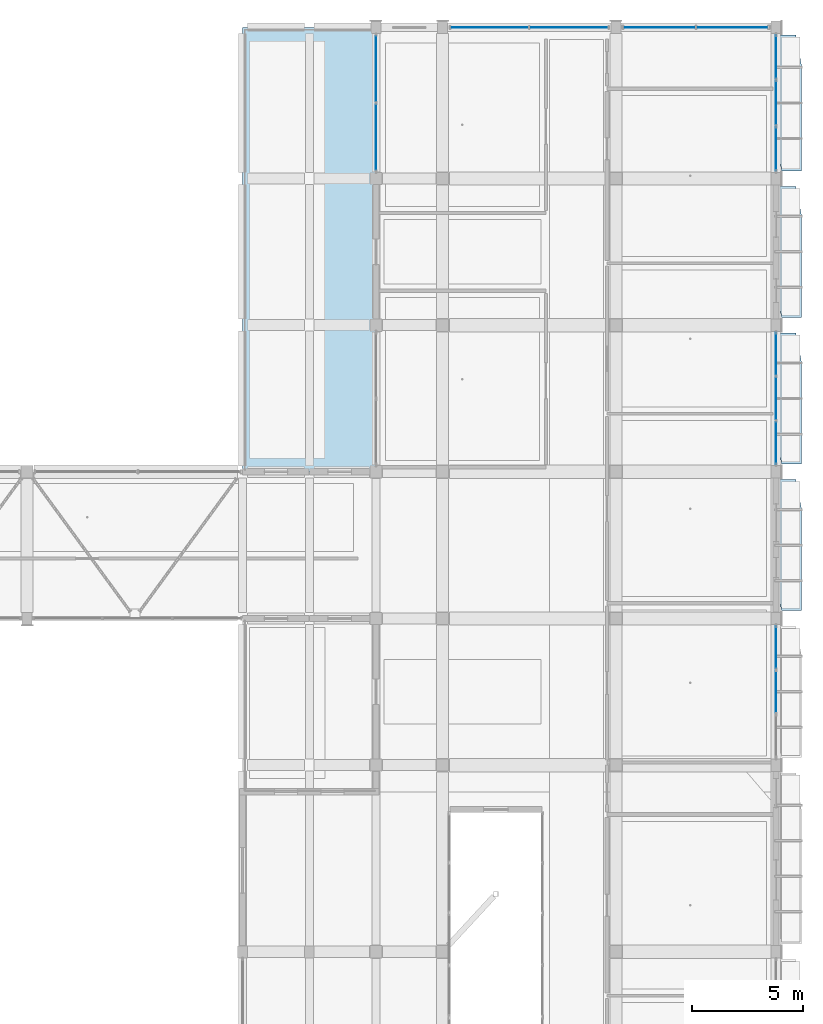
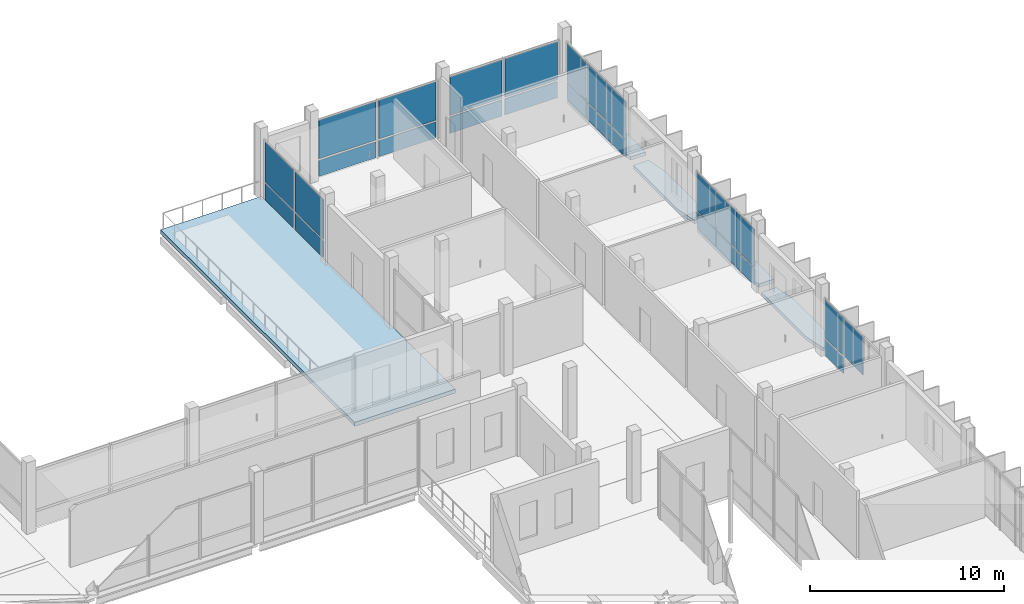
# One storey, part 51 of 95: 27 plates, 5 slabs, 6 elements without a shape of their own.
"""IFC4 building model written with IfcOpenShell, lengths in metres."""

from ifc_helpers import new_model, si_unit, derived_unit, direction, frame, origin, origin_2d, place, context, subcontext, project, spatial, polyline, rectangle, outline, extrude, material, layer, layer_set, type_object, element, aggregate, save


model = new_model("IFC4")

# Units and contexts
model_context = context("Model", 3, precision=1e-05, world=origin(), true_north=direction((0.0, 1.0)))
body_context = subcontext(model_context, "Body", "Model", "MODEL_VIEW")
ifc_project = project(units=[si_unit("LENGTHUNIT", "METRE"), si_unit("AREAUNIT", "SQUARE_METRE"), si_unit("VOLUMEUNIT", "CUBIC_METRE"), si_unit("PLANEANGLEUNIT", "RADIAN"), si_unit("MASSUNIT", "GRAM", prefix="KILO"), derived_unit("THERMALTRANSMITTANCEUNIT", [(si_unit("POWERUNIT", "WATT"), 1), (si_unit("LENGTHUNIT", "METRE"), -2), (si_unit("THERMODYNAMICTEMPERATUREUNIT", "KELVIN"), -1)])], contexts=[model_context])

# Site, building, storey
site_placement = place(None, origin())
site = spatial("IfcSite", under=ifc_project, at=site_placement, CompositionType="ELEMENT")
building_placement = place(site_placement, origin())
building = spatial("IfcBuilding", under=site, at=building_placement, Name="Braskholm Square Health Centre", CompositionType="ELEMENT")
storey_placement = place(building_placement, frame((0.0, 0.0, 4.800048828125)))
storey = spatial("IfcBuildingStorey", under=building, at=storey_placement, Name="L02", CompositionType="ELEMENT", Elevation=4.800048828125)

# Curtain wall, plate
ifc_material_1 = material(Name="Low-E triple insulating glass (VLT 0.64)", Category="glass")
curtain_wall_type_1 = type_object("IfcCurtainWallType", Name="UnitisedCurtainWall6200x3650", PredefinedType="NOTDEFINED", material=ifc_material_1)
curtain_wall_1_placement = place(storey_placement, origin())
curtain_wall_1 = element("IfcCurtainWall", 1, at=curtain_wall_1_placement, inside=storey, type_object=curtain_wall_type_1, Name="East Outer unitised curtain wall CW-L02-0057", PredefinedType="NOTDEFINED")
ifc_material_2 = material(Name="Architectural bronze anodised aluminium", Category="aluminium")
plate_type_1 = type_object("IfcPlateType", Name="CurtainPanelSpandrel1850x1020", PredefinedType="CURTAIN_PANEL", material=ifc_material_2)
plate_1_placement = place(storey_placement, frame((163.800048828125, 85.90673828125, 0.050048828125), z_axis=(0.0, 0.0, 1.0), x_axis=(0.0, 1.0, 0.0)))
plate_1 = element("IfcPlate", 2, at=plate_1_placement, type_object=plate_type_1, Name="CW-L02-0057 spandrel panel 3", PredefinedType="CURTAIN_PANEL", context=body_context, shape_type="SweptSolid", body=[
    extrude(rectangle(XDim=1.88623046875, YDim=0.035888671875, at=origin_2d()), origin(), (0.0, 0.0, 1.0), 1.02001953125),
])

# Curtain wall, plates
curtain_wall_2_placement = place(storey_placement, origin())
curtain_wall_2 = element("IfcCurtainWall", 3, at=curtain_wall_2_placement, inside=storey, type_object=curtain_wall_type_1, Name="East Outer unitised curtain wall CW-L02-0058", PredefinedType="NOTDEFINED")
plate_2_placement = place(storey_placement, frame((163.800048828125, 95.09326171875, 0.050048828125), z_axis=(0.0, 0.0, 1.0), x_axis=(0.0, 1.0, 0.0)))
plate_2 = element("IfcPlate", 4, at=plate_2_placement, type_object=plate_type_1, Name="CW-L02-0058 spandrel panel 1", PredefinedType="CURTAIN_PANEL", context=body_context, shape_type="SweptSolid", body=[
    extrude(rectangle(XDim=1.88623046875, YDim=0.035888671875, at=origin_2d()), origin(), (0.0, 0.0, 1.0), 1.02001953125),
])
plate_3_placement = place(storey_placement, frame((163.800048828125, 97.10009765625, 0.050048828125), z_axis=(0.0, 0.0, 1.0), x_axis=(0.0, 1.0, 0.0)))
plate_3 = element("IfcPlate", 5, at=plate_3_placement, type_object=plate_type_1, Name="CW-L02-0058 spandrel panel 2", PredefinedType="CURTAIN_PANEL", context=body_context, shape_type="SweptSolid", body=[
    extrude(rectangle(XDim=1.88623046875, YDim=0.035888671875, at=origin_2d()), origin(), (0.0, 0.0, 1.0), 1.02001953125),
])
plate_4_placement = place(storey_placement, frame((163.800048828125, 99.106689453125, 0.050048828125), z_axis=(0.0, 0.0, 1.0), x_axis=(0.0, 1.0, 0.0)))
plate_4 = element("IfcPlate", 6, at=plate_4_placement, type_object=plate_type_1, Name="CW-L02-0058 spandrel panel 3", PredefinedType="CURTAIN_PANEL", context=body_context, shape_type="SweptSolid", body=[
    extrude(rectangle(XDim=1.88623046875, YDim=0.035888671875, at=origin_2d()), origin(), (0.0, 0.0, 1.0), 1.02001953125),
])

curtain_wall_3_placement = place(storey_placement, origin())
curtain_wall_3 = element("IfcCurtainWall", 7, at=curtain_wall_3_placement, inside=storey, type_object=curtain_wall_type_1, Name="East Outer unitised curtain wall CW-L02-0059", PredefinedType="NOTDEFINED")
plate_5_placement = place(storey_placement, frame((163.800048828125, 108.32666015625, 0.050048828125), z_axis=(0.0, 0.0, 1.0), x_axis=(0.0, 1.0, 0.0)))
plate_5 = element("IfcPlate", 8, at=plate_5_placement, type_object=plate_type_1, Name="CW-L02-0059 spandrel panel 1", PredefinedType="CURTAIN_PANEL", context=body_context, shape_type="SweptSolid", body=[
    extrude(rectangle(XDim=1.948974609375, YDim=0.035888671875, at=origin_2d()), origin(), (0.0, 0.0, 1.0), 1.02001953125),
])
plate_6_placement = place(storey_placement, frame((163.800048828125, 110.39990234375, 0.050048828125), z_axis=(0.0, 0.0, 1.0), x_axis=(0.0, 1.0, 0.0)))
plate_6 = element("IfcPlate", 9, at=plate_6_placement, type_object=plate_type_1, Name="CW-L02-0059 spandrel panel 2", PredefinedType="CURTAIN_PANEL", context=body_context, shape_type="SweptSolid", body=[
    extrude(rectangle(XDim=1.948974609375, YDim=0.035888671875, at=origin_2d()), origin(), (0.0, 0.0, 1.0), 1.02001953125),
])
plate_7_placement = place(storey_placement, frame((163.800048828125, 112.473388671875, 0.050048828125), z_axis=(0.0, 0.0, 1.0), x_axis=(0.0, 1.0, 0.0)))
plate_7 = element("IfcPlate", 10, at=plate_7_placement, type_object=plate_type_1, Name="CW-L02-0059 spandrel panel 3", PredefinedType="CURTAIN_PANEL", context=body_context, shape_type="SweptSolid", body=[
    extrude(rectangle(XDim=1.948974609375, YDim=0.035888671875, at=origin_2d()), origin(), (0.0, 0.0, 1.0), 1.02001953125),
])

curtain_wall_type_2 = type_object("IfcCurtainWallType", Name="UnitisedCurtainWall6200x3800", PredefinedType="NOTDEFINED", material=ifc_material_1)
curtain_wall_4_placement = place(storey_placement, origin())
curtain_wall_4 = element("IfcCurtainWall", 11, at=curtain_wall_4_placement, inside=storey, type_object=curtain_wall_type_2, Name="East Valley unitised curtain wall CW-L02-0122", PredefinedType="NOTDEFINED")
plate_type_2 = type_object("IfcPlateType", Name="CurtainPanelSpandrel2750x1020", PredefinedType="CURTAIN_PANEL", material=ifc_material_2)
plate_8_placement = place(storey_placement, frame((145.800048828125, 111.93505859375, 0.050048828125), z_axis=(0.0, 0.0, 1.0), x_axis=(0.0, -1.0, 0.0)))
plate_8 = element("IfcPlate", 12, at=plate_8_placement, type_object=plate_type_2, Name="CW-L02-0122 spandrel panel 1", PredefinedType="CURTAIN_PANEL", context=body_context, shape_type="SweptSolid", body=[
    extrude(rectangle(XDim=2.92578125, YDim=0.035888671875, at=origin_2d()), origin(), (0.0, 0.0, 1.0), 1.02001953125),
])
plate_9_placement = place(storey_placement, frame((145.800048828125, 108.85986328125, 0.050048828125), z_axis=(0.0, 0.0, 1.0), x_axis=(0.0, -1.0, 0.0)))
plate_9 = element("IfcPlate", 13, at=plate_9_placement, type_object=plate_type_2, Name="CW-L02-0122 spandrel panel 2", PredefinedType="CURTAIN_PANEL", context=body_context, shape_type="SweptSolid", body=[
    extrude(rectangle(XDim=2.92578125, YDim=0.035888671875, at=origin_2d()), origin(), (0.0, 0.0, 1.0), 1.02001953125),
])

curtain_wall_5_placement = place(storey_placement, origin())
curtain_wall_5 = element("IfcCurtainWall", 14, at=curtain_wall_5_placement, inside=storey, type_object=curtain_wall_type_1, Name="Wing End unitised curtain wall CW-L02-0165", PredefinedType="NOTDEFINED")
plate_type_3 = type_object("IfcPlateType", Name="CurtainPanelSpandrel3150x1020", PredefinedType="CURTAIN_PANEL", material=ifc_material_2)
plate_10_placement = place(storey_placement, frame((161.840087890625, 113.800048828125, 0.050048828125), z_axis=(0.0, 0.0, 1.0), x_axis=(-1.0, 0.0, 0.0)))
plate_10 = element("IfcPlate", 15, at=plate_10_placement, type_object=plate_type_3, Name="CW-L02-0165 spandrel panel 1", PredefinedType="CURTAIN_PANEL", context=body_context, shape_type="SweptSolid", body=[
    extrude(rectangle(XDim=3.120849609375, YDim=0.035888671875, at=origin_2d()), origin(), (0.0, 0.0, 1.0), 1.02001953125),
])
plate_11_placement = place(storey_placement, frame((158.559814453125, 113.800048828125, 0.050048828125), z_axis=(0.0, 0.0, 1.0), x_axis=(-1.0, 0.0, 0.0)))
plate_11 = element("IfcPlate", 16, at=plate_11_placement, type_object=plate_type_3, Name="CW-L02-0165 spandrel panel 2", PredefinedType="CURTAIN_PANEL", context=body_context, shape_type="SweptSolid", body=[
    extrude(rectangle(XDim=3.120849609375, YDim=0.035888671875, at=origin_2d()), origin(), (0.0, 0.0, 1.0), 1.02001953125),
])

curtain_wall_6_placement = place(storey_placement, origin())
curtain_wall_6 = element("IfcCurtainWall", 17, at=curtain_wall_6_placement, inside=storey, type_object=curtain_wall_type_1, Name="Wing End unitised curtain wall CW-L02-0166", PredefinedType="NOTDEFINED")
plate_12_placement = place(storey_placement, frame((154.48828125, 113.800048828125, 0.050048828125), z_axis=(0.0, 0.0, 1.0), x_axis=(-1.0, 0.0, 0.0)))
plate_12 = element("IfcPlate", 18, at=plate_12_placement, type_object=plate_type_3, Name="CW-L02-0166 spandrel panel 1", PredefinedType="CURTAIN_PANEL", context=body_context, shape_type="SweptSolid", body=[
    extrude(rectangle(XDim=3.40283203125, YDim=0.035888671875, at=origin_2d()), origin(), (0.0, 0.0, 1.0), 1.02001953125),
])
plate_13_placement = place(storey_placement, frame((150.91162109375, 113.800048828125, 0.050048828125), z_axis=(0.0, 0.0, 1.0), x_axis=(-1.0, 0.0, 0.0)))
plate_13 = element("IfcPlate", 19, at=plate_13_placement, type_object=plate_type_3, Name="CW-L02-0166 spandrel panel 2", PredefinedType="CURTAIN_PANEL", context=body_context, shape_type="SweptSolid", body=[
    extrude(rectangle(XDim=3.40283203125, YDim=0.035888671875, at=origin_2d()), origin(), (0.0, 0.0, 1.0), 1.02001953125),
])

# Plate
plate_type_4 = type_object("IfcPlateType", Name="CurtainPanelVision1850x2520", PredefinedType="CURTAIN_PANEL", material=ifc_material_1)
plate_14_placement = place(storey_placement, frame((163.800048828125, 83.89990234375, 1.169921875), z_axis=(0.0, 0.0, 1.0), x_axis=(0.0, 1.0, 0.0)))
plate_14 = element("IfcPlate", 20, at=plate_14_placement, type_object=plate_type_4, Name="CW-L02-0057 vision glass panel 2", PredefinedType="CURTAIN_PANEL", context=body_context, shape_type="SweptSolid", body=[
    extrude(rectangle(XDim=1.88623046875, YDim=0.035888671875, at=origin_2d()), origin(), (0.0, 0.0, 1.0), 2.3701171875),
])

plate_15_placement = place(storey_placement, frame((163.800048828125, 85.90673828125, 1.169921875), z_axis=(0.0, 0.0, 1.0), x_axis=(0.0, 1.0, 0.0)))
plate_15 = element("IfcPlate", 21, at=plate_15_placement, type_object=plate_type_4, Name="CW-L02-0057 vision glass panel 3", PredefinedType="CURTAIN_PANEL", context=body_context, shape_type="SweptSolid", body=[
    extrude(rectangle(XDim=1.88623046875, YDim=0.035888671875, at=origin_2d()), origin(), (0.0, 0.0, 1.0), 2.3701171875),
])

aggregate(curtain_wall_1, [plate_14, plate_1, plate_15])

plate_16_placement = place(storey_placement, frame((163.800048828125, 95.09326171875, 1.169921875), z_axis=(0.0, 0.0, 1.0), x_axis=(0.0, 1.0, 0.0)))
plate_16 = element("IfcPlate", 22, at=plate_16_placement, type_object=plate_type_4, Name="CW-L02-0058 vision glass panel 1", PredefinedType="CURTAIN_PANEL", context=body_context, shape_type="SweptSolid", body=[
    extrude(rectangle(XDim=1.88623046875, YDim=0.035888671875, at=origin_2d()), origin(), (0.0, 0.0, 1.0), 2.3701171875),
])

plate_17_placement = place(storey_placement, frame((163.800048828125, 97.10009765625, 1.169921875), z_axis=(0.0, 0.0, 1.0), x_axis=(0.0, 1.0, 0.0)))
plate_17 = element("IfcPlate", 23, at=plate_17_placement, type_object=plate_type_4, Name="CW-L02-0058 vision glass panel 2", PredefinedType="CURTAIN_PANEL", context=body_context, shape_type="SweptSolid", body=[
    extrude(rectangle(XDim=1.88623046875, YDim=0.035888671875, at=origin_2d()), origin(), (0.0, 0.0, 1.0), 2.3701171875),
])

plate_18_placement = place(storey_placement, frame((163.800048828125, 99.106689453125, 1.169921875), z_axis=(0.0, 0.0, 1.0), x_axis=(0.0, 1.0, 0.0)))
plate_18 = element("IfcPlate", 24, at=plate_18_placement, type_object=plate_type_4, Name="CW-L02-0058 vision glass panel 3", PredefinedType="CURTAIN_PANEL", context=body_context, shape_type="SweptSolid", body=[
    extrude(rectangle(XDim=1.88623046875, YDim=0.035888671875, at=origin_2d()), origin(), (0.0, 0.0, 1.0), 2.3701171875),
])

aggregate(curtain_wall_2, [plate_2, plate_16, plate_3, plate_17, plate_4, plate_18])

plate_19_placement = place(storey_placement, frame((163.800048828125, 108.32666015625, 1.169921875), z_axis=(0.0, 0.0, 1.0), x_axis=(0.0, 1.0, 0.0)))
plate_19 = element("IfcPlate", 25, at=plate_19_placement, type_object=plate_type_4, Name="CW-L02-0059 vision glass panel 1", PredefinedType="CURTAIN_PANEL", context=body_context, shape_type="SweptSolid", body=[
    extrude(rectangle(XDim=1.948974609375, YDim=0.035888671875, at=origin_2d()), origin(), (0.0, 0.0, 1.0), 2.3701171875),
])

plate_20_placement = place(storey_placement, frame((163.800048828125, 110.39990234375, 1.169921875), z_axis=(0.0, 0.0, 1.0), x_axis=(0.0, 1.0, 0.0)))
plate_20 = element("IfcPlate", 26, at=plate_20_placement, type_object=plate_type_4, Name="CW-L02-0059 vision glass panel 2", PredefinedType="CURTAIN_PANEL", context=body_context, shape_type="SweptSolid", body=[
    extrude(rectangle(XDim=1.948974609375, YDim=0.035888671875, at=origin_2d()), origin(), (0.0, 0.0, 1.0), 2.3701171875),
])

plate_21_placement = place(storey_placement, frame((163.800048828125, 112.473388671875, 1.169921875), z_axis=(0.0, 0.0, 1.0), x_axis=(0.0, 1.0, 0.0)))
plate_21 = element("IfcPlate", 27, at=plate_21_placement, type_object=plate_type_4, Name="CW-L02-0059 vision glass panel 3", PredefinedType="CURTAIN_PANEL", context=body_context, shape_type="SweptSolid", body=[
    extrude(rectangle(XDim=1.948974609375, YDim=0.035888671875, at=origin_2d()), origin(), (0.0, 0.0, 1.0), 2.3701171875),
])

aggregate(curtain_wall_3, [plate_5, plate_19, plate_6, plate_20, plate_7, plate_21])

plate_type_5 = type_object("IfcPlateType", Name="CurtainPanelVision2750x2520", PredefinedType="CURTAIN_PANEL", material=ifc_material_1)
plate_22_placement = place(storey_placement, frame((145.800048828125, 111.93505859375, 1.169921875), z_axis=(0.0, 0.0, 1.0), x_axis=(0.0, -1.0, 0.0)))
plate_22 = element("IfcPlate", 28, at=plate_22_placement, type_object=plate_type_5, Name="CW-L02-0122 vision glass panel 1", PredefinedType="CURTAIN_PANEL", context=body_context, shape_type="SweptSolid", body=[
    extrude(rectangle(XDim=2.92578125, YDim=0.035888671875, at=origin_2d()), origin(), (0.0, 0.0, 1.0), 2.510009765625),
])

plate_23_placement = place(storey_placement, frame((145.800048828125, 108.85986328125, 1.169921875), z_axis=(0.0, 0.0, 1.0), x_axis=(0.0, -1.0, 0.0)))
plate_23 = element("IfcPlate", 29, at=plate_23_placement, type_object=plate_type_5, Name="CW-L02-0122 vision glass panel 2", PredefinedType="CURTAIN_PANEL", context=body_context, shape_type="SweptSolid", body=[
    extrude(rectangle(XDim=2.92578125, YDim=0.035888671875, at=origin_2d()), origin(), (0.0, 0.0, 1.0), 2.510009765625),
])

aggregate(curtain_wall_4, [plate_8, plate_22, plate_9, plate_23])

plate_type_6 = type_object("IfcPlateType", Name="CurtainPanelVision3150x2520", PredefinedType="CURTAIN_PANEL", material=ifc_material_1)
plate_24_placement = place(storey_placement, frame((161.840087890625, 113.800048828125, 1.169921875), z_axis=(0.0, 0.0, 1.0), x_axis=(-1.0, 0.0, 0.0)))
plate_24 = element("IfcPlate", 30, at=plate_24_placement, type_object=plate_type_6, Name="CW-L02-0165 vision glass panel 1", PredefinedType="CURTAIN_PANEL", context=body_context, shape_type="SweptSolid", body=[
    extrude(rectangle(XDim=3.120849609375, YDim=0.035888671875, at=origin_2d()), origin(), (0.0, 0.0, 1.0), 2.419921875),
])

plate_25_placement = place(storey_placement, frame((158.559814453125, 113.800048828125, 1.169921875), z_axis=(0.0, 0.0, 1.0), x_axis=(-1.0, 0.0, 0.0)))
plate_25 = element("IfcPlate", 31, at=plate_25_placement, type_object=plate_type_6, Name="CW-L02-0165 vision glass panel 2", PredefinedType="CURTAIN_PANEL", context=body_context, shape_type="SweptSolid", body=[
    extrude(rectangle(XDim=3.120849609375, YDim=0.035888671875, at=origin_2d()), origin(), (0.0, 0.0, 1.0), 2.419921875),
])

aggregate(curtain_wall_5, [plate_10, plate_24, plate_11, plate_25])

plate_26_placement = place(storey_placement, frame((154.48828125, 113.800048828125, 1.169921875), z_axis=(0.0, 0.0, 1.0), x_axis=(-1.0, 0.0, 0.0)))
plate_26 = element("IfcPlate", 32, at=plate_26_placement, type_object=plate_type_6, Name="CW-L02-0166 vision glass panel 1", PredefinedType="CURTAIN_PANEL", context=body_context, shape_type="SweptSolid", body=[
    extrude(rectangle(XDim=3.40283203125, YDim=0.035888671875, at=origin_2d()), origin(), (0.0, 0.0, 1.0), 2.419921875),
])

plate_27_placement = place(storey_placement, frame((150.91162109375, 113.800048828125, 1.169921875), z_axis=(0.0, 0.0, 1.0), x_axis=(-1.0, 0.0, 0.0)))
plate_27 = element("IfcPlate", 33, at=plate_27_placement, type_object=plate_type_6, Name="CW-L02-0166 vision glass panel 2", PredefinedType="CURTAIN_PANEL", context=body_context, shape_type="SweptSolid", body=[
    extrude(rectangle(XDim=3.40283203125, YDim=0.035888671875, at=origin_2d()), origin(), (0.0, 0.0, 1.0), 2.419921875),
])

aggregate(curtain_wall_6, [plate_12, plate_26, plate_13, plate_27])

# Slabs
ifc_material_3 = material(Name="Precast concrete C40/50 architectural white", Category="concrete")
ifc_layer_1 = layer(ifc_material_3, 0.2099609375)
ifc_layer_set_1 = layer_set([ifc_layer_1], Name="Precast concrete C40/50 architectural white")
slab_type_1 = type_object("IfcSlabType", Name="PitchedAndCrownRoofSlab150", PredefinedType="ROOF", material=ifc_layer_set_1)
slab_1_placement = place(storey_placement, frame((0.0, 0.0, -0.2099609375)))
element("IfcSlab", 34, at=slab_1_placement, inside=storey, type_object=slab_type_1, Name="Level L02 East precast planter ledge 077", PredefinedType="ROOF", context=body_context, shape_type="SweptSolid", body=[
    extrude(outline(polyline([(164.052978515625, 87.550048828125), (164.949951171875, 87.550048828125), (164.949951171875, 92.152099609375), (164.697021484375, 93.449951171875), (163.800048828125, 93.449951171875), (163.800048828125, 88.847900390625), (164.052978515625, 87.550048828125)])), origin(), (0.0, 0.0, 1.0), 0.2099609375),
])
slab_2_placement = place(storey_placement, frame((0.0, 0.0, -0.2099609375)))
element("IfcSlab", 35, at=slab_2_placement, inside=storey, type_object=slab_type_1, Name="Level L02 East precast planter ledge 078", PredefinedType="ROOF", context=body_context, shape_type="SweptSolid", body=[
    extrude(outline(polyline([(164.052978515625, 94.14990234375), (164.949951171875, 94.14990234375), (164.949951171875, 98.751953125), (164.697021484375, 100.050048828125), (163.800048828125, 100.050048828125), (163.800048828125, 95.447998046875), (164.052978515625, 94.14990234375)])), origin(), (0.0, 0.0, 1.0), 0.2099609375),
])
slab_3_placement = place(storey_placement, frame((0.0, 0.0, -0.2099609375)))
element("IfcSlab", 36, at=slab_3_placement, inside=storey, type_object=slab_type_1, Name="Level L02 East precast planter ledge 079", PredefinedType="ROOF", context=body_context, shape_type="SweptSolid", body=[
    extrude(outline(polyline([(164.052978515625, 100.75), (164.949951171875, 100.75), (164.949951171875, 105.35205078125), (164.697021484375, 106.64990234375), (163.800048828125, 106.64990234375), (163.800048828125, 102.048095703125), (164.052978515625, 100.75)])), origin(), (0.0, 0.0, 1.0), 0.2099609375),
])
slab_4_placement = place(storey_placement, frame((0.0, 0.0, -0.2099609375)))
element("IfcSlab", 37, at=slab_4_placement, inside=storey, type_object=slab_type_1, Name="Level L02 East precast planter ledge 080", PredefinedType="ROOF", context=body_context, shape_type="SweptSolid", body=[
    extrude(outline(polyline([(164.052978515625, 107.35009765625), (164.949951171875, 107.35009765625), (164.949951171875, 112.10791015625), (164.697021484375, 113.449951171875), (163.800048828125, 113.449951171875), (163.800048828125, 108.69189453125), (164.052978515625, 107.35009765625)])), origin(), (0.0, 0.0, 1.0), 0.2099609375),
])
ifc_material_4 = material(Name="Concrete C35/45 (f'c = 35 MPa)", Category="concrete")
ifc_layer_2 = layer(ifc_material_4, 0.25)
ifc_layer_set_2 = layer_set([ifc_layer_2], Name="Concrete C35/45 (f'c = 35 MPa)")
slab_type_2 = type_object("IfcSlabType", Name="PlantedTerraceRoofSlab250", PredefinedType="ROOF", material=ifc_layer_set_2)
slab_5_placement = place(storey_placement, frame((0.0, 0.0, -0.25)))
element("IfcSlab", 38, at=slab_5_placement, inside=storey, type_object=slab_type_2, Name="Level L02 Northeast garden colonnade terrace slab", PredefinedType="ROOF", context=body_context, shape_type="SweptSolid", body=[
    extrude(outline(polyline([(139.800048828125, 93.800048828125), (145.800048828125, 93.800048828125), (145.800048828125, 113.800048828125), (139.800048828125, 113.800048828125), (139.800048828125, 93.800048828125)])), origin(), (0.0, 0.0, 1.0), 0.25),
])

save(model, "model.ifc")
